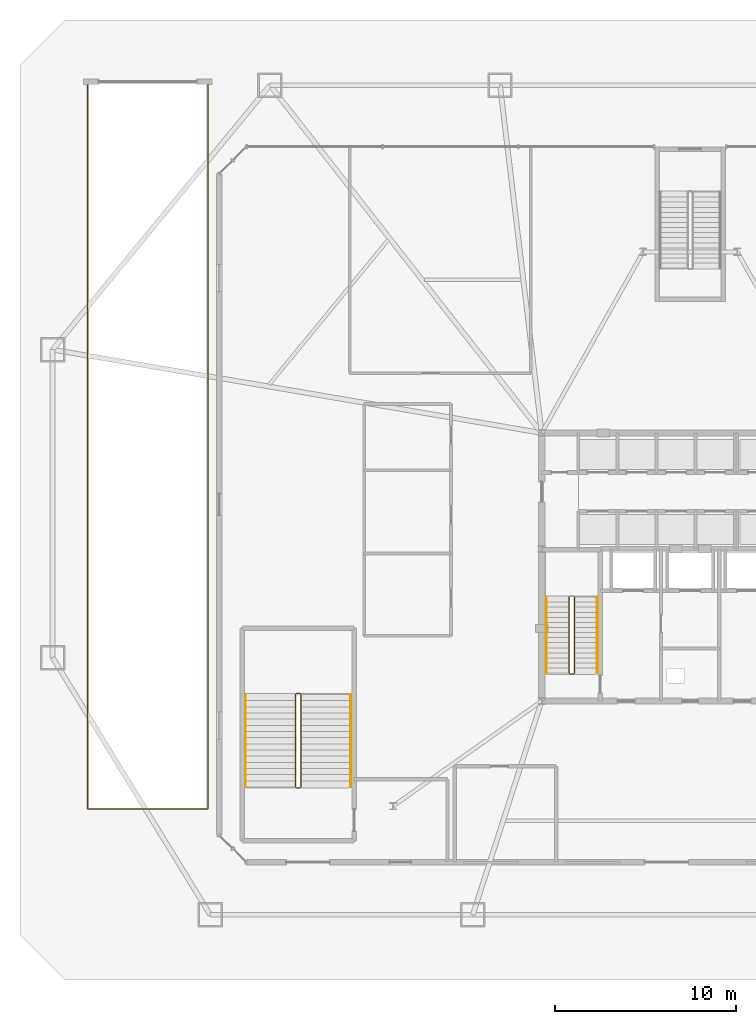
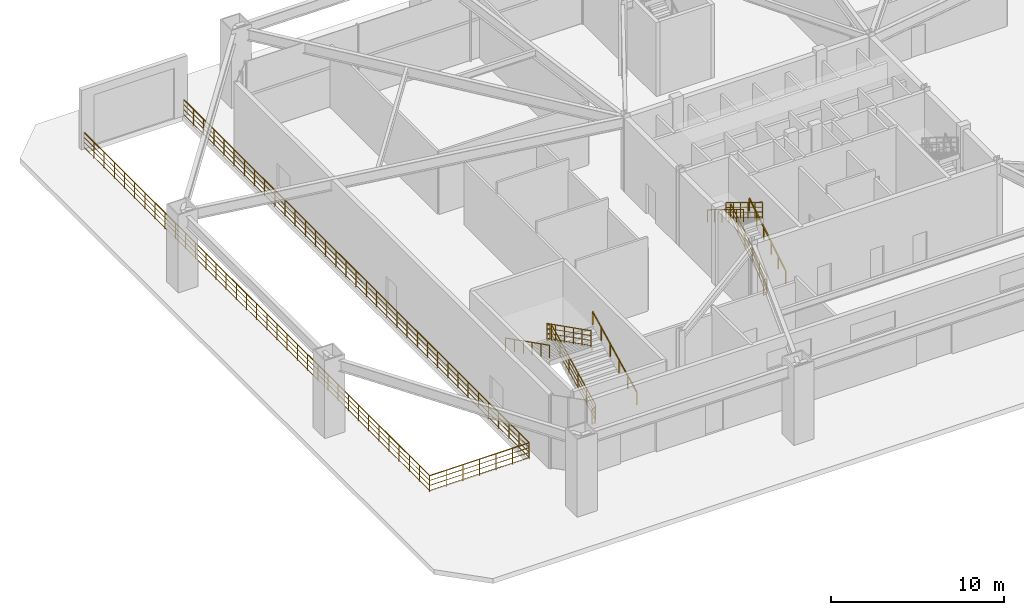
# One storey, part 18 of 20: 14 railings.
"""IFC4 building model written with IfcOpenShell, lengths in metres."""

from ifc_helpers import new_model, si_unit, direction, frame, origin, origin_2d, place, context, subcontext, project, spatial, rectangle, extrude, material, type_object, element, save


model = new_model("IFC4")

# Units and contexts
model_context = context("Model", 3, precision=1e-05, world=origin(), true_north=direction((0.0, 1.0)))
body_context = subcontext(model_context, "Body", "Model", "MODEL_VIEW")
ifc_project = project(units=[si_unit("LENGTHUNIT", "METRE"), si_unit("AREAUNIT", "SQUARE_METRE"), si_unit("VOLUMEUNIT", "CUBIC_METRE"), si_unit("PLANEANGLEUNIT", "RADIAN"), si_unit("MASSUNIT", "GRAM", prefix="KILO")], contexts=[model_context])

# Site, building, storey
site_placement = place(None, origin())
site = spatial("IfcSite", under=ifc_project, at=site_placement, CompositionType="ELEMENT")
building_placement = place(site_placement, origin())
building = spatial("IfcBuilding", under=site, at=building_placement, Name="Varakhsha Concourse Tower", CompositionType="ELEMENT")
storey_placement = place(building_placement, origin())
storey = spatial("IfcBuildingStorey", under=building, at=storey_placement, Name="L01", CompositionType="ELEMENT", Elevation=0.0)

# Railings
ifc_material = material(Name="Brushed Austenitic Stainless Steel AISI 316", Category="steel")
railing_type_1 = type_object("IfcRailingType", Name="RL-INT-GUARD-1120", PredefinedType="GUARDRAIL", material=ifc_material)
railing_1_placement = place(storey_placement, frame((6.719970703125, 10.449951171875, 0.0)))
element("IfcRailing", 1, at=railing_1_placement, inside=storey, type_object=railing_type_1, Name="L01 Vehicle Ramp Trench Guard W", PredefinedType="GUARDRAIL", context=body_context, shape_type="SweptSolid", body=[
    extrude(rectangle(XDim=0.048095703125, YDim=0.048095703125, at=origin_2d()), frame((0.0, 0.0, 1.1259765625), z_axis=(0.0, 1.0, 0.0), x_axis=(-1.0, 0.0, 0.0)), (0.0, 0.0, 1.0), 40.10009765625),
    extrude(rectangle(XDim=0.028076171875, YDim=0.028076171875, at=origin_2d()), frame((0.0, 0.0, 0.080078125), z_axis=(0.0, 1.0, 0.0), x_axis=(-1.0, 0.0, 0.0)), (0.0, 0.0, 1.0), 40.10009765625),
    extrude(rectangle(XDim=0.028076171875, YDim=0.028076171875, at=origin_2d()), frame((0.0, 0.0, 0.43701171875), z_axis=(0.0, 1.0, 0.0), x_axis=(-1.0, 0.0, 0.0)), (0.0, 0.0, 1.0), 40.10009765625),
    extrude(rectangle(XDim=0.028076171875, YDim=0.028076171875, at=origin_2d()), frame((0.0, 0.0, 0.781982421875), z_axis=(0.0, 1.0, 0.0), x_axis=(-1.0, 0.0, 0.0)), (0.0, 0.0, 1.0), 40.10009765625),
    extrude(rectangle(XDim=0.0419921875, YDim=0.0419921875, at=origin_2d()), origin(), (0.0, 0.0, 1.0), 1.101806640625),
    extrude(rectangle(XDim=0.0419921875, YDim=0.0419921875, at=origin_2d()), frame((0.0, 1.179443359375, 0.0)), (0.0, 0.0, 1.0), 1.101806640625),
    extrude(rectangle(XDim=0.0419921875, YDim=0.0419921875, at=origin_2d()), frame((0.0, 2.35888671875, 0.0)), (0.0, 0.0, 1.0), 1.101806640625),
    extrude(rectangle(XDim=0.0419921875, YDim=0.0419921875, at=origin_2d()), frame((0.0, 3.538330078125, 0.0)), (0.0, 0.0, 1.0), 1.101806640625),
    extrude(rectangle(XDim=0.0419921875, YDim=0.0419921875, at=origin_2d()), frame((0.0, 4.7177734375, 0.0)), (0.0, 0.0, 1.0), 1.101806640625),
    extrude(rectangle(XDim=0.0419921875, YDim=0.0419921875, at=origin_2d()), frame((0.0, 5.89697265625, 0.0)), (0.0, 0.0, 1.0), 1.101806640625),
    extrude(rectangle(XDim=0.0419921875, YDim=0.0419921875, at=origin_2d()), frame((0.0, 7.076416015625, 0.0)), (0.0, 0.0, 1.0), 1.101806640625),
    extrude(rectangle(XDim=0.0419921875, YDim=0.0419921875, at=origin_2d()), frame((0.0, 8.255859375, 0.0)), (0.0, 0.0, 1.0), 1.101806640625),
    extrude(rectangle(XDim=0.0419921875, YDim=0.0419921875, at=origin_2d()), frame((0.0, 9.435302734375, 0.0)), (0.0, 0.0, 1.0), 1.101806640625),
    extrude(rectangle(XDim=0.0419921875, YDim=0.0419921875, at=origin_2d()), frame((0.0, 10.61474609375, 0.0)), (0.0, 0.0, 1.0), 1.101806640625),
    extrude(rectangle(XDim=0.0419921875, YDim=0.0419921875, at=origin_2d()), frame((0.0, 11.794189453125, 0.0)), (0.0, 0.0, 1.0), 1.101806640625),
    extrude(rectangle(XDim=0.0419921875, YDim=0.0419921875, at=origin_2d()), frame((0.0, 12.9736328125, 0.0)), (0.0, 0.0, 1.0), 1.101806640625),
    extrude(rectangle(XDim=0.0419921875, YDim=0.0419921875, at=origin_2d()), frame((0.0, 14.153076171875, 0.0)), (0.0, 0.0, 1.0), 1.101806640625),
    extrude(rectangle(XDim=0.0419921875, YDim=0.0419921875, at=origin_2d()), frame((0.0, 15.332275390625, 0.0)), (0.0, 0.0, 1.0), 1.101806640625),
    extrude(rectangle(XDim=0.0419921875, YDim=0.0419921875, at=origin_2d()), frame((0.0, 16.51171875, 0.0)), (0.0, 0.0, 1.0), 1.101806640625),
    extrude(rectangle(XDim=0.0419921875, YDim=0.0419921875, at=origin_2d()), frame((0.0, 17.691162109375, 0.0)), (0.0, 0.0, 1.0), 1.101806640625),
    extrude(rectangle(XDim=0.0419921875, YDim=0.0419921875, at=origin_2d()), frame((0.0, 18.87060546875, 0.0)), (0.0, 0.0, 1.0), 1.101806640625),
    extrude(rectangle(XDim=0.0419921875, YDim=0.0419921875, at=origin_2d()), frame((0.0, 20.050048828125, 0.0)), (0.0, 0.0, 1.0), 1.101806640625),
    extrude(rectangle(XDim=0.0419921875, YDim=0.0419921875, at=origin_2d()), frame((0.0, 21.2294921875, 0.0)), (0.0, 0.0, 1.0), 1.101806640625),
    extrude(rectangle(XDim=0.0419921875, YDim=0.0419921875, at=origin_2d()), frame((0.0, 22.408935546875, 0.0)), (0.0, 0.0, 1.0), 1.101806640625),
    extrude(rectangle(XDim=0.0419921875, YDim=0.0419921875, at=origin_2d()), frame((0.0, 23.58837890625, 0.0)), (0.0, 0.0, 1.0), 1.101806640625),
    extrude(rectangle(XDim=0.0419921875, YDim=0.0419921875, at=origin_2d()), frame((0.0, 24.767822265625, 0.0)), (0.0, 0.0, 1.0), 1.101806640625),
    extrude(rectangle(XDim=0.0419921875, YDim=0.0419921875, at=origin_2d()), frame((0.0, 25.947021484375, 0.0)), (0.0, 0.0, 1.0), 1.101806640625),
    extrude(rectangle(XDim=0.0419921875, YDim=0.0419921875, at=origin_2d()), frame((0.0, 27.12646484375, 0.0)), (0.0, 0.0, 1.0), 1.101806640625),
    extrude(rectangle(XDim=0.0419921875, YDim=0.0419921875, at=origin_2d()), frame((0.0, 28.305908203125, 0.0)), (0.0, 0.0, 1.0), 1.101806640625),
    extrude(rectangle(XDim=0.0419921875, YDim=0.0419921875, at=origin_2d()), frame((0.0, 29.4853515625, 0.0)), (0.0, 0.0, 1.0), 1.101806640625),
    extrude(rectangle(XDim=0.0419921875, YDim=0.0419921875, at=origin_2d()), frame((0.0, 30.664794921875, 0.0)), (0.0, 0.0, 1.0), 1.101806640625),
    extrude(rectangle(XDim=0.0419921875, YDim=0.0419921875, at=origin_2d()), frame((0.0, 31.84423828125, 0.0)), (0.0, 0.0, 1.0), 1.101806640625),
    extrude(rectangle(XDim=0.0419921875, YDim=0.0419921875, at=origin_2d()), frame((0.0, 33.023681640625, 0.0)), (0.0, 0.0, 1.0), 1.101806640625),
    extrude(rectangle(XDim=0.0419921875, YDim=0.0419921875, at=origin_2d()), frame((0.0, 34.203125, 0.0)), (0.0, 0.0, 1.0), 1.101806640625),
    extrude(rectangle(XDim=0.0419921875, YDim=0.0419921875, at=origin_2d()), frame((0.0, 35.38232421875, 0.0)), (0.0, 0.0, 1.0), 1.101806640625),
    extrude(rectangle(XDim=0.0419921875, YDim=0.0419921875, at=origin_2d()), frame((0.0, 36.561767578125, 0.0)), (0.0, 0.0, 1.0), 1.101806640625),
    extrude(rectangle(XDim=0.0419921875, YDim=0.0419921875, at=origin_2d()), frame((0.0, 37.7412109375, 0.0)), (0.0, 0.0, 1.0), 1.101806640625),
    extrude(rectangle(XDim=0.0419921875, YDim=0.0419921875, at=origin_2d()), frame((0.0, 38.920654296875, 0.0)), (0.0, 0.0, 1.0), 1.101806640625),
    extrude(rectangle(XDim=0.0419921875, YDim=0.0419921875, at=origin_2d()), frame((0.0, 40.10009765625, 0.0)), (0.0, 0.0, 1.0), 1.101806640625),
])
railing_2_placement = place(storey_placement, frame((13.3798828125, 10.449951171875, 0.0)))
element("IfcRailing", 2, at=railing_2_placement, inside=storey, type_object=railing_type_1, Name="L01 Vehicle Ramp Trench Guard E", PredefinedType="GUARDRAIL", context=body_context, shape_type="SweptSolid", body=[
    extrude(rectangle(XDim=0.048095703125, YDim=0.048095703125, at=origin_2d()), frame((0.0, 0.0, 1.1259765625), z_axis=(0.0, 1.0, 0.0), x_axis=(-1.0, 0.0, 0.0)), (0.0, 0.0, 1.0), 40.10009765625),
    extrude(rectangle(XDim=0.028076171875, YDim=0.028076171875, at=origin_2d()), frame((0.0, 0.0, 0.080078125), z_axis=(0.0, 1.0, 0.0), x_axis=(-1.0, 0.0, 0.0)), (0.0, 0.0, 1.0), 40.10009765625),
    extrude(rectangle(XDim=0.028076171875, YDim=0.028076171875, at=origin_2d()), frame((0.0, 0.0, 0.43701171875), z_axis=(0.0, 1.0, 0.0), x_axis=(-1.0, 0.0, 0.0)), (0.0, 0.0, 1.0), 40.10009765625),
    extrude(rectangle(XDim=0.028076171875, YDim=0.028076171875, at=origin_2d()), frame((0.0, 0.0, 0.781982421875), z_axis=(0.0, 1.0, 0.0), x_axis=(-1.0, 0.0, 0.0)), (0.0, 0.0, 1.0), 40.10009765625),
    extrude(rectangle(XDim=0.0419921875, YDim=0.0419921875, at=origin_2d()), origin(), (0.0, 0.0, 1.0), 1.101806640625),
    extrude(rectangle(XDim=0.0419921875, YDim=0.0419921875, at=origin_2d()), frame((0.0, 1.179443359375, 0.0)), (0.0, 0.0, 1.0), 1.101806640625),
    extrude(rectangle(XDim=0.0419921875, YDim=0.0419921875, at=origin_2d()), frame((0.0, 2.35888671875, 0.0)), (0.0, 0.0, 1.0), 1.101806640625),
    extrude(rectangle(XDim=0.0419921875, YDim=0.0419921875, at=origin_2d()), frame((0.0, 3.538330078125, 0.0)), (0.0, 0.0, 1.0), 1.101806640625),
    extrude(rectangle(XDim=0.0419921875, YDim=0.0419921875, at=origin_2d()), frame((0.0, 4.7177734375, 0.0)), (0.0, 0.0, 1.0), 1.101806640625),
    extrude(rectangle(XDim=0.0419921875, YDim=0.0419921875, at=origin_2d()), frame((0.0, 5.89697265625, 0.0)), (0.0, 0.0, 1.0), 1.101806640625),
    extrude(rectangle(XDim=0.0419921875, YDim=0.0419921875, at=origin_2d()), frame((0.0, 7.076416015625, 0.0)), (0.0, 0.0, 1.0), 1.101806640625),
    extrude(rectangle(XDim=0.0419921875, YDim=0.0419921875, at=origin_2d()), frame((0.0, 8.255859375, 0.0)), (0.0, 0.0, 1.0), 1.101806640625),
    extrude(rectangle(XDim=0.0419921875, YDim=0.0419921875, at=origin_2d()), frame((0.0, 9.435302734375, 0.0)), (0.0, 0.0, 1.0), 1.101806640625),
    extrude(rectangle(XDim=0.0419921875, YDim=0.0419921875, at=origin_2d()), frame((0.0, 10.61474609375, 0.0)), (0.0, 0.0, 1.0), 1.101806640625),
    extrude(rectangle(XDim=0.0419921875, YDim=0.0419921875, at=origin_2d()), frame((0.0, 11.794189453125, 0.0)), (0.0, 0.0, 1.0), 1.101806640625),
    extrude(rectangle(XDim=0.0419921875, YDim=0.0419921875, at=origin_2d()), frame((0.0, 12.9736328125, 0.0)), (0.0, 0.0, 1.0), 1.101806640625),
    extrude(rectangle(XDim=0.0419921875, YDim=0.0419921875, at=origin_2d()), frame((0.0, 14.153076171875, 0.0)), (0.0, 0.0, 1.0), 1.101806640625),
    extrude(rectangle(XDim=0.0419921875, YDim=0.0419921875, at=origin_2d()), frame((0.0, 15.332275390625, 0.0)), (0.0, 0.0, 1.0), 1.101806640625),
    extrude(rectangle(XDim=0.0419921875, YDim=0.0419921875, at=origin_2d()), frame((0.0, 16.51171875, 0.0)), (0.0, 0.0, 1.0), 1.101806640625),
    extrude(rectangle(XDim=0.0419921875, YDim=0.0419921875, at=origin_2d()), frame((0.0, 17.691162109375, 0.0)), (0.0, 0.0, 1.0), 1.101806640625),
    extrude(rectangle(XDim=0.0419921875, YDim=0.0419921875, at=origin_2d()), frame((0.0, 18.87060546875, 0.0)), (0.0, 0.0, 1.0), 1.101806640625),
    extrude(rectangle(XDim=0.0419921875, YDim=0.0419921875, at=origin_2d()), frame((0.0, 20.050048828125, 0.0)), (0.0, 0.0, 1.0), 1.101806640625),
    extrude(rectangle(XDim=0.0419921875, YDim=0.0419921875, at=origin_2d()), frame((0.0, 21.2294921875, 0.0)), (0.0, 0.0, 1.0), 1.101806640625),
    extrude(rectangle(XDim=0.0419921875, YDim=0.0419921875, at=origin_2d()), frame((0.0, 22.408935546875, 0.0)), (0.0, 0.0, 1.0), 1.101806640625),
    extrude(rectangle(XDim=0.0419921875, YDim=0.0419921875, at=origin_2d()), frame((0.0, 23.58837890625, 0.0)), (0.0, 0.0, 1.0), 1.101806640625),
    extrude(rectangle(XDim=0.0419921875, YDim=0.0419921875, at=origin_2d()), frame((0.0, 24.767822265625, 0.0)), (0.0, 0.0, 1.0), 1.101806640625),
    extrude(rectangle(XDim=0.0419921875, YDim=0.0419921875, at=origin_2d()), frame((0.0, 25.947021484375, 0.0)), (0.0, 0.0, 1.0), 1.101806640625),
    extrude(rectangle(XDim=0.0419921875, YDim=0.0419921875, at=origin_2d()), frame((0.0, 27.12646484375, 0.0)), (0.0, 0.0, 1.0), 1.101806640625),
    extrude(rectangle(XDim=0.0419921875, YDim=0.0419921875, at=origin_2d()), frame((0.0, 28.305908203125, 0.0)), (0.0, 0.0, 1.0), 1.101806640625),
    extrude(rectangle(XDim=0.0419921875, YDim=0.0419921875, at=origin_2d()), frame((0.0, 29.4853515625, 0.0)), (0.0, 0.0, 1.0), 1.101806640625),
    extrude(rectangle(XDim=0.0419921875, YDim=0.0419921875, at=origin_2d()), frame((0.0, 30.664794921875, 0.0)), (0.0, 0.0, 1.0), 1.101806640625),
    extrude(rectangle(XDim=0.0419921875, YDim=0.0419921875, at=origin_2d()), frame((0.0, 31.84423828125, 0.0)), (0.0, 0.0, 1.0), 1.101806640625),
    extrude(rectangle(XDim=0.0419921875, YDim=0.0419921875, at=origin_2d()), frame((0.0, 33.023681640625, 0.0)), (0.0, 0.0, 1.0), 1.101806640625),
    extrude(rectangle(XDim=0.0419921875, YDim=0.0419921875, at=origin_2d()), frame((0.0, 34.203125, 0.0)), (0.0, 0.0, 1.0), 1.101806640625),
    extrude(rectangle(XDim=0.0419921875, YDim=0.0419921875, at=origin_2d()), frame((0.0, 35.38232421875, 0.0)), (0.0, 0.0, 1.0), 1.101806640625),
    extrude(rectangle(XDim=0.0419921875, YDim=0.0419921875, at=origin_2d()), frame((0.0, 36.561767578125, 0.0)), (0.0, 0.0, 1.0), 1.101806640625),
    extrude(rectangle(XDim=0.0419921875, YDim=0.0419921875, at=origin_2d()), frame((0.0, 37.7412109375, 0.0)), (0.0, 0.0, 1.0), 1.101806640625),
    extrude(rectangle(XDim=0.0419921875, YDim=0.0419921875, at=origin_2d()), frame((0.0, 38.920654296875, 0.0)), (0.0, 0.0, 1.0), 1.101806640625),
    extrude(rectangle(XDim=0.0419921875, YDim=0.0419921875, at=origin_2d()), frame((0.0, 40.10009765625, 0.0)), (0.0, 0.0, 1.0), 1.101806640625),
])
railing_3_placement = place(storey_placement, frame((6.719970703125, 10.449951171875, 0.0)))
element("IfcRailing", 3, at=railing_3_placement, inside=storey, type_object=railing_type_1, Name="L01 Vehicle Ramp Trench Guard S", PredefinedType="GUARDRAIL", context=body_context, shape_type="SweptSolid", body=[
    extrude(rectangle(XDim=0.048095703125, YDim=0.048095703125, at=origin_2d()), frame((0.0, 0.0, 1.1259765625), z_axis=(1.0, 0.0, 0.0), x_axis=(0.0, 1.0, 0.0)), (0.0, 0.0, 1.0), 6.659912109375),
    extrude(rectangle(XDim=0.028076171875, YDim=0.028076171875, at=origin_2d()), frame((0.0, 0.0, 0.080078125), z_axis=(1.0, 0.0, 0.0), x_axis=(0.0, 1.0, 0.0)), (0.0, 0.0, 1.0), 6.659912109375),
    extrude(rectangle(XDim=0.028076171875, YDim=0.028076171875, at=origin_2d()), frame((0.0, 0.0, 0.43701171875), z_axis=(1.0, 0.0, 0.0), x_axis=(0.0, 1.0, 0.0)), (0.0, 0.0, 1.0), 6.659912109375),
    extrude(rectangle(XDim=0.028076171875, YDim=0.028076171875, at=origin_2d()), frame((0.0, 0.0, 0.781982421875), z_axis=(1.0, 0.0, 0.0), x_axis=(0.0, 1.0, 0.0)), (0.0, 0.0, 1.0), 6.659912109375),
    extrude(rectangle(XDim=0.0419921875, YDim=0.0419921875, at=origin_2d()), origin(), (0.0, 0.0, 1.0), 1.101806640625),
    extrude(rectangle(XDim=0.0419921875, YDim=0.0419921875, at=origin_2d()), frame((1.10986328125, 0.0, 0.0)), (0.0, 0.0, 1.0), 1.101806640625),
    extrude(rectangle(XDim=0.0419921875, YDim=0.0419921875, at=origin_2d()), frame((2.219970703125, 0.0, 0.0)), (0.0, 0.0, 1.0), 1.101806640625),
    extrude(rectangle(XDim=0.0419921875, YDim=0.0419921875, at=origin_2d()), frame((3.330078125, 0.0, 0.0)), (0.0, 0.0, 1.0), 1.101806640625),
    extrude(rectangle(XDim=0.0419921875, YDim=0.0419921875, at=origin_2d()), frame((4.43994140625, 0.0, 0.0)), (0.0, 0.0, 1.0), 1.101806640625),
    extrude(rectangle(XDim=0.0419921875, YDim=0.0419921875, at=origin_2d()), frame((5.5498046875, 0.0, 0.0)), (0.0, 0.0, 1.0), 1.101806640625),
    extrude(rectangle(XDim=0.0419921875, YDim=0.0419921875, at=origin_2d()), frame((6.659912109375, 0.0, 0.0)), (0.0, 0.0, 1.0), 1.101806640625),
])
railing_type_2 = type_object("IfcRailingType", Name="RL-STAIR-GUARD-1100", PredefinedType="GUARDRAIL", material=ifc_material)
railing_4_placement = place(storey_placement, frame((33.610107421875, 17.93994140625, 0.171875)))
element("IfcRailing", 4, at=railing_4_placement, inside=storey, type_object=railing_type_2, Name="L01 ST1 stair guard 1", PredefinedType="GUARDRAIL", context=body_context, shape_type="SweptSolid", body=[
    extrude(rectangle(XDim=0.048095703125, YDim=0.048095703125, at=origin_2d()), frame((0.0, 0.0, 1.1259765625), z_axis=(0.0, 0.852242915053, 0.523146264196), x_axis=(-1.0, 0.0, 0.0)), (0.0, 0.0, 1.0), 4.92822265625),
    extrude(rectangle(XDim=0.028076171875, YDim=0.028076171875, at=origin_2d()), frame((0.0, 0.0, 0.080078125), z_axis=(0.0, 0.852242915053, 0.523146264196), x_axis=(-1.0, 0.0, 0.0)), (0.0, 0.0, 1.0), 4.92822265625),
    extrude(rectangle(XDim=0.028076171875, YDim=0.028076171875, at=origin_2d()), frame((0.0, 0.0, 0.43701171875), z_axis=(0.0, 0.852242915053, 0.523146264196), x_axis=(-1.0, 0.0, 0.0)), (0.0, 0.0, 1.0), 4.92822265625),
    extrude(rectangle(XDim=0.028076171875, YDim=0.028076171875, at=origin_2d()), frame((0.0, 0.0, 0.781982421875), z_axis=(0.0, 0.852242915053, 0.523146264196), x_axis=(-1.0, 0.0, 0.0)), (0.0, 0.0, 1.0), 4.92822265625),
    extrude(rectangle(XDim=0.0419921875, YDim=0.0419921875, at=origin_2d()), origin(), (0.0, 0.0, 1.0), 1.101806640625),
    extrude(rectangle(XDim=0.0419921875, YDim=0.0419921875, at=origin_2d()), frame((0.0, 0.840087890625, 0.515625)), (0.0, 0.0, 1.0), 1.101806640625),
    extrude(rectangle(XDim=0.0419921875, YDim=0.0419921875, at=origin_2d()), frame((0.0, 1.679931640625, 1.03125)), (0.0, 0.0, 1.0), 1.101806640625),
    extrude(rectangle(XDim=0.0419921875, YDim=0.0419921875, at=origin_2d()), frame((0.0, 2.52001953125, 1.546875)), (0.0, 0.0, 1.0), 1.101806640625),
    extrude(rectangle(XDim=0.0419921875, YDim=0.0419921875, at=origin_2d()), frame((0.0, 3.35986328125, 2.0625)), (0.0, 0.0, 1.0), 1.101806640625),
    extrude(rectangle(XDim=0.0419921875, YDim=0.0419921875, at=origin_2d()), frame((0.0, 4.199951171875, 2.578125)), (0.0, 0.0, 1.0), 1.101806640625),
])
railing_5_placement = place(storey_placement, frame((33.31005859375, 22.139892578125, 2.921875)))
element("IfcRailing", 5, at=railing_5_placement, inside=storey, type_object=railing_type_2, Name="L01 ST1 stair guard 3", PredefinedType="GUARDRAIL", context=body_context, shape_type="SweptSolid", body=[
    extrude(rectangle(XDim=0.048095703125, YDim=0.048095703125, at=origin_2d()), frame((0.0, 0.0, 1.1259765625), z_axis=(0.0, -0.852242915053, 0.523146264196), x_axis=(1.0, 0.0, 0.0)), (0.0, 0.0, 1.0), 4.92822265625),
    extrude(rectangle(XDim=0.028076171875, YDim=0.028076171875, at=origin_2d()), frame((0.0, 0.0, 0.080078125), z_axis=(0.0, -0.852242915053, 0.523146264196), x_axis=(1.0, 0.0, 0.0)), (0.0, 0.0, 1.0), 4.92822265625),
    extrude(rectangle(XDim=0.028076171875, YDim=0.028076171875, at=origin_2d()), frame((0.0, 0.0, 0.43701171875), z_axis=(0.0, -0.852242915053, 0.523146264196), x_axis=(1.0, 0.0, 0.0)), (0.0, 0.0, 1.0), 4.92822265625),
    extrude(rectangle(XDim=0.028076171875, YDim=0.028076171875, at=origin_2d()), frame((0.0, 0.0, 0.781982421875), z_axis=(0.0, -0.852242915053, 0.523146264196), x_axis=(1.0, 0.0, 0.0)), (0.0, 0.0, 1.0), 4.92822265625),
    extrude(rectangle(XDim=0.0419921875, YDim=0.0419921875, at=origin_2d()), origin(), (0.0, 0.0, 1.0), 1.101806640625),
    extrude(rectangle(XDim=0.0419921875, YDim=0.0419921875, at=origin_2d()), frame((0.0, -0.840087890625, 0.515625)), (0.0, 0.0, 1.0), 1.101806640625),
    extrude(rectangle(XDim=0.0419921875, YDim=0.0419921875, at=origin_2d()), frame((0.0, -1.679931640625, 1.03125)), (0.0, 0.0, 1.0), 1.101806640625),
    extrude(rectangle(XDim=0.0419921875, YDim=0.0419921875, at=origin_2d()), frame((0.0, -2.52001953125, 1.546875)), (0.0, 0.0, 1.0), 1.101806640625),
    extrude(rectangle(XDim=0.0419921875, YDim=0.0419921875, at=origin_2d()), frame((0.0, -3.35986328125, 2.0625)), (0.0, 0.0, 1.0), 1.101806640625),
    extrude(rectangle(XDim=0.0419921875, YDim=0.0419921875, at=origin_2d()), frame((0.0, -4.199951171875, 2.578125)), (0.0, 0.0, 1.0), 1.101806640625),
])
railing_6_placement = place(storey_placement, frame((33.56005859375, 17.889892578125, 0.0)))
element("IfcRailing", 6, at=railing_6_placement, inside=storey, type_object=railing_type_2, Name="L01 ST1 stair guard 4", PredefinedType="GUARDRAIL", context=body_context, shape_type="SweptSolid", body=[
    extrude(rectangle(XDim=0.048095703125, YDim=0.048095703125, at=origin_2d()), frame((0.0, 0.0, 1.1259765625), z_axis=(-1.0, 0.0, 0.0), x_axis=(0.0, -1.0, 0.0)), (0.0, 0.0, 1.0), 0.199951171875),
    extrude(rectangle(XDim=0.028076171875, YDim=0.028076171875, at=origin_2d()), frame((0.0, 0.0, 0.080078125), z_axis=(-1.0, 0.0, 0.0), x_axis=(0.0, -1.0, 0.0)), (0.0, 0.0, 1.0), 0.199951171875),
    extrude(rectangle(XDim=0.028076171875, YDim=0.028076171875, at=origin_2d()), frame((0.0, 0.0, 0.43701171875), z_axis=(-1.0, 0.0, 0.0), x_axis=(0.0, -1.0, 0.0)), (0.0, 0.0, 1.0), 0.199951171875),
    extrude(rectangle(XDim=0.028076171875, YDim=0.028076171875, at=origin_2d()), frame((0.0, 0.0, 0.781982421875), z_axis=(-1.0, 0.0, 0.0), x_axis=(0.0, -1.0, 0.0)), (0.0, 0.0, 1.0), 0.199951171875),
    extrude(rectangle(XDim=0.0419921875, YDim=0.0419921875, at=origin_2d()), origin(), (0.0, 0.0, 1.0), 1.101806640625),
    extrude(rectangle(XDim=0.0419921875, YDim=0.0419921875, at=origin_2d()), frame((-0.199951171875, 0.0, 0.0)), (0.0, 0.0, 1.0), 1.101806640625),
])
railing_7_placement = place(storey_placement, frame((18.510009765625, 11.659912109375, 0.171875)))
element("IfcRailing", 7, at=railing_7_placement, inside=storey, type_object=railing_type_2, Name="L01 ST3 stair guard 1", PredefinedType="GUARDRAIL", context=body_context, shape_type="SweptSolid", body=[
    extrude(rectangle(XDim=0.048095703125, YDim=0.048095703125, at=origin_2d()), frame((0.0, 0.0, 1.1259765625), z_axis=(0.0, 0.892453363607, 0.451139661067), x_axis=(-1.0, 0.0, 0.0)), (0.0, 0.0, 1.0), 5.714599609375),
    extrude(rectangle(XDim=0.028076171875, YDim=0.028076171875, at=origin_2d()), frame((0.0, 0.0, 0.080078125), z_axis=(0.0, 0.892453363607, 0.451139661067), x_axis=(-1.0, 0.0, 0.0)), (0.0, 0.0, 1.0), 5.714599609375),
    extrude(rectangle(XDim=0.028076171875, YDim=0.028076171875, at=origin_2d()), frame((0.0, 0.0, 0.43701171875), z_axis=(0.0, 0.892453363607, 0.451139661067), x_axis=(-1.0, 0.0, 0.0)), (0.0, 0.0, 1.0), 5.714599609375),
    extrude(rectangle(XDim=0.028076171875, YDim=0.028076171875, at=origin_2d()), frame((0.0, 0.0, 0.781982421875), z_axis=(0.0, 0.892453363607, 0.451139661067), x_axis=(-1.0, 0.0, 0.0)), (0.0, 0.0, 1.0), 5.714599609375),
    extrude(rectangle(XDim=0.0419921875, YDim=0.0419921875, at=origin_2d()), origin(), (0.0, 0.0, 1.0), 1.101806640625),
    extrude(rectangle(XDim=0.0419921875, YDim=0.0419921875, at=origin_2d()), frame((0.0, 1.02001953125, 0.515625)), (0.0, 0.0, 1.0), 1.101806640625),
    extrude(rectangle(XDim=0.0419921875, YDim=0.0419921875, at=origin_2d()), frame((0.0, 2.0400390625, 1.03125)), (0.0, 0.0, 1.0), 1.101806640625),
    extrude(rectangle(XDim=0.0419921875, YDim=0.0419921875, at=origin_2d()), frame((0.0, 3.06005859375, 1.546875)), (0.0, 0.0, 1.0), 1.101806640625),
    extrude(rectangle(XDim=0.0419921875, YDim=0.0419921875, at=origin_2d()), frame((0.0, 4.080078125, 2.0625)), (0.0, 0.0, 1.0), 1.101806640625),
    extrude(rectangle(XDim=0.0419921875, YDim=0.0419921875, at=origin_2d()), frame((0.0, 5.10009765625, 2.578125)), (0.0, 0.0, 1.0), 1.101806640625),
])
railing_8_placement = place(storey_placement, frame((18.4599609375, 16.81005859375, 2.75)))
element("IfcRailing", 8, at=railing_8_placement, inside=storey, type_object=railing_type_2, Name="L01 ST3 stair guard 2", PredefinedType="GUARDRAIL", context=body_context, shape_type="SweptSolid", body=[
    extrude(rectangle(XDim=0.048095703125, YDim=0.048095703125, at=origin_2d()), frame((0.0, 0.0, 1.1259765625), z_axis=(-1.0, 0.0, 0.0), x_axis=(0.0, -1.0, 0.0)), (0.0, 0.0, 1.0), 0.199951171875),
    extrude(rectangle(XDim=0.028076171875, YDim=0.028076171875, at=origin_2d()), frame((0.0, 0.0, 0.080078125), z_axis=(-1.0, 0.0, 0.0), x_axis=(0.0, -1.0, 0.0)), (0.0, 0.0, 1.0), 0.199951171875),
    extrude(rectangle(XDim=0.028076171875, YDim=0.028076171875, at=origin_2d()), frame((0.0, 0.0, 0.43701171875), z_axis=(-1.0, 0.0, 0.0), x_axis=(0.0, -1.0, 0.0)), (0.0, 0.0, 1.0), 0.199951171875),
    extrude(rectangle(XDim=0.028076171875, YDim=0.028076171875, at=origin_2d()), frame((0.0, 0.0, 0.781982421875), z_axis=(-1.0, 0.0, 0.0), x_axis=(0.0, -1.0, 0.0)), (0.0, 0.0, 1.0), 0.199951171875),
    extrude(rectangle(XDim=0.0419921875, YDim=0.0419921875, at=origin_2d()), origin(), (0.0, 0.0, 1.0), 1.101806640625),
    extrude(rectangle(XDim=0.0419921875, YDim=0.0419921875, at=origin_2d()), frame((-0.199951171875, 0.0, 0.0)), (0.0, 0.0, 1.0), 1.101806640625),
])
railing_9_placement = place(storey_placement, frame((18.2099609375, 16.760009765625, 2.921875)))
element("IfcRailing", 9, at=railing_9_placement, inside=storey, type_object=railing_type_2, Name="L01 ST3 stair guard 3", PredefinedType="GUARDRAIL", context=body_context, shape_type="SweptSolid", body=[
    extrude(rectangle(XDim=0.048095703125, YDim=0.048095703125, at=origin_2d()), frame((0.0, 0.0, 1.1259765625), z_axis=(0.0, -0.892453363607, 0.451139661067), x_axis=(1.0, 0.0, 0.0)), (0.0, 0.0, 1.0), 5.714599609375),
    extrude(rectangle(XDim=0.028076171875, YDim=0.028076171875, at=origin_2d()), frame((0.0, 0.0, 0.080078125), z_axis=(0.0, -0.892453363607, 0.451139661067), x_axis=(1.0, 0.0, 0.0)), (0.0, 0.0, 1.0), 5.714599609375),
    extrude(rectangle(XDim=0.028076171875, YDim=0.028076171875, at=origin_2d()), frame((0.0, 0.0, 0.43701171875), z_axis=(0.0, -0.892453363607, 0.451139661067), x_axis=(1.0, 0.0, 0.0)), (0.0, 0.0, 1.0), 5.714599609375),
    extrude(rectangle(XDim=0.028076171875, YDim=0.028076171875, at=origin_2d()), frame((0.0, 0.0, 0.781982421875), z_axis=(0.0, -0.892453363607, 0.451139661067), x_axis=(1.0, 0.0, 0.0)), (0.0, 0.0, 1.0), 5.714599609375),
    extrude(rectangle(XDim=0.0419921875, YDim=0.0419921875, at=origin_2d()), origin(), (0.0, 0.0, 1.0), 1.101806640625),
    extrude(rectangle(XDim=0.0419921875, YDim=0.0419921875, at=origin_2d()), frame((0.0, -1.02001953125, 0.515625)), (0.0, 0.0, 1.0), 1.101806640625),
    extrude(rectangle(XDim=0.0419921875, YDim=0.0419921875, at=origin_2d()), frame((0.0, -2.0400390625, 1.03125)), (0.0, 0.0, 1.0), 1.101806640625),
    extrude(rectangle(XDim=0.0419921875, YDim=0.0419921875, at=origin_2d()), frame((0.0, -3.06005859375, 1.546875)), (0.0, 0.0, 1.0), 1.101806640625),
    extrude(rectangle(XDim=0.0419921875, YDim=0.0419921875, at=origin_2d()), frame((0.0, -4.080078125, 2.0625)), (0.0, 0.0, 1.0), 1.101806640625),
    extrude(rectangle(XDim=0.0419921875, YDim=0.0419921875, at=origin_2d()), frame((0.0, -5.10009765625, 2.578125)), (0.0, 0.0, 1.0), 1.101806640625),
])
railing_10_placement = place(storey_placement, frame((18.4599609375, 11.610107421875, 0.0)))
element("IfcRailing", 10, at=railing_10_placement, inside=storey, type_object=railing_type_2, Name="L01 ST3 stair guard 4", PredefinedType="GUARDRAIL", context=body_context, shape_type="SweptSolid", body=[
    extrude(rectangle(XDim=0.048095703125, YDim=0.048095703125, at=origin_2d()), frame((0.0, 0.0, 1.1259765625), z_axis=(-1.0, 0.0, 0.0), x_axis=(0.0, -1.0, 0.0)), (0.0, 0.0, 1.0), 0.199951171875),
    extrude(rectangle(XDim=0.028076171875, YDim=0.028076171875, at=origin_2d()), frame((0.0, 0.0, 0.080078125), z_axis=(-1.0, 0.0, 0.0), x_axis=(0.0, -1.0, 0.0)), (0.0, 0.0, 1.0), 0.199951171875),
    extrude(rectangle(XDim=0.028076171875, YDim=0.028076171875, at=origin_2d()), frame((0.0, 0.0, 0.43701171875), z_axis=(-1.0, 0.0, 0.0), x_axis=(0.0, -1.0, 0.0)), (0.0, 0.0, 1.0), 0.199951171875),
    extrude(rectangle(XDim=0.028076171875, YDim=0.028076171875, at=origin_2d()), frame((0.0, 0.0, 0.781982421875), z_axis=(-1.0, 0.0, 0.0), x_axis=(0.0, -1.0, 0.0)), (0.0, 0.0, 1.0), 0.199951171875),
    extrude(rectangle(XDim=0.0419921875, YDim=0.0419921875, at=origin_2d()), origin(), (0.0, 0.0, 1.0), 1.101806640625),
    extrude(rectangle(XDim=0.0419921875, YDim=0.0419921875, at=origin_2d()), frame((-0.199951171875, 0.0, 0.0)), (0.0, 0.0, 1.0), 1.101806640625),
])
railing_type_3 = type_object("IfcRailingType", Name="RL-STAIR-RAIL-915", PredefinedType="HANDRAIL", material=ifc_material)
railing_11_placement = place(storey_placement, frame((34.8701171875, 17.93994140625, 0.34375)))
element("IfcRailing", 11, at=railing_11_placement, inside=storey, type_object=railing_type_3, Name="L01 ST1 stair handrail 1", PredefinedType="HANDRAIL", context=body_context, shape_type="SweptSolid", body=[
    extrude(rectangle(XDim=0.048095703125, YDim=0.048095703125, at=origin_2d()), frame((0.0, 0.0, 0.89111328125), z_axis=(0.0, 0.852242915053, 0.523146264196), x_axis=(-1.0, 0.0, 0.0)), (0.0, 0.0, 1.0), 4.92822265625),
    extrude(rectangle(XDim=0.0419921875, YDim=0.0419921875, at=origin_2d()), origin(), (0.0, 0.0, 1.0), 0.866943359375),
    extrude(rectangle(XDim=0.0419921875, YDim=0.0419921875, at=origin_2d()), frame((0.0, 0.840087890625, 0.515625)), (0.0, 0.0, 1.0), 0.866943359375),
    extrude(rectangle(XDim=0.0419921875, YDim=0.0419921875, at=origin_2d()), frame((0.0, 1.679931640625, 1.03125)), (0.0, 0.0, 1.0), 0.866943359375),
    extrude(rectangle(XDim=0.0419921875, YDim=0.0419921875, at=origin_2d()), frame((0.0, 2.52001953125, 1.546875)), (0.0, 0.0, 1.0), 0.866943359375),
    extrude(rectangle(XDim=0.0419921875, YDim=0.0419921875, at=origin_2d()), frame((0.0, 3.35986328125, 2.0625)), (0.0, 0.0, 1.0), 0.866943359375),
    extrude(rectangle(XDim=0.0419921875, YDim=0.0419921875, at=origin_2d()), frame((0.0, 4.199951171875, 2.578125)), (0.0, 0.0, 1.0), 0.866943359375),
])
railing_12_placement = place(storey_placement, frame((32.050048828125, 22.139892578125, 3.09375)))
element("IfcRailing", 12, at=railing_12_placement, inside=storey, type_object=railing_type_3, Name="L01 ST1 stair handrail 2", PredefinedType="HANDRAIL", context=body_context, shape_type="SweptSolid", body=[
    extrude(rectangle(XDim=0.048095703125, YDim=0.048095703125, at=origin_2d()), frame((0.0, 0.0, 0.89111328125), z_axis=(0.0, -0.852242915053, 0.523146264196), x_axis=(1.0, 0.0, 0.0)), (0.0, 0.0, 1.0), 4.92822265625),
    extrude(rectangle(XDim=0.0419921875, YDim=0.0419921875, at=origin_2d()), origin(), (0.0, 0.0, 1.0), 0.866943359375),
    extrude(rectangle(XDim=0.0419921875, YDim=0.0419921875, at=origin_2d()), frame((0.0, -0.840087890625, 0.515625)), (0.0, 0.0, 1.0), 0.866943359375),
    extrude(rectangle(XDim=0.0419921875, YDim=0.0419921875, at=origin_2d()), frame((0.0, -1.679931640625, 1.03125)), (0.0, 0.0, 1.0), 0.866943359375),
    extrude(rectangle(XDim=0.0419921875, YDim=0.0419921875, at=origin_2d()), frame((0.0, -2.52001953125, 1.546875)), (0.0, 0.0, 1.0), 0.866943359375),
    extrude(rectangle(XDim=0.0419921875, YDim=0.0419921875, at=origin_2d()), frame((0.0, -3.35986328125, 2.0625)), (0.0, 0.0, 1.0), 0.866943359375),
    extrude(rectangle(XDim=0.0419921875, YDim=0.0419921875, at=origin_2d()), frame((0.0, -4.199951171875, 2.578125)), (0.0, 0.0, 1.0), 0.866943359375),
])
railing_13_placement = place(storey_placement, frame((21.27001953125, 11.659912109375, 0.34375)))
element("IfcRailing", 13, at=railing_13_placement, inside=storey, type_object=railing_type_3, Name="L01 ST3 stair handrail 1", PredefinedType="HANDRAIL", context=body_context, shape_type="SweptSolid", body=[
    extrude(rectangle(XDim=0.048095703125, YDim=0.048095703125, at=origin_2d()), frame((0.0, 0.0, 0.89111328125), z_axis=(0.0, 0.892453363607, 0.451139661067), x_axis=(-1.0, 0.0, 0.0)), (0.0, 0.0, 1.0), 5.714599609375),
    extrude(rectangle(XDim=0.0419921875, YDim=0.0419921875, at=origin_2d()), origin(), (0.0, 0.0, 1.0), 0.866943359375),
    extrude(rectangle(XDim=0.0419921875, YDim=0.0419921875, at=origin_2d()), frame((0.0, 1.02001953125, 0.515625)), (0.0, 0.0, 1.0), 0.866943359375),
    extrude(rectangle(XDim=0.0419921875, YDim=0.0419921875, at=origin_2d()), frame((0.0, 2.0400390625, 1.03125)), (0.0, 0.0, 1.0), 0.866943359375),
    extrude(rectangle(XDim=0.0419921875, YDim=0.0419921875, at=origin_2d()), frame((0.0, 3.06005859375, 1.546875)), (0.0, 0.0, 1.0), 0.866943359375),
    extrude(rectangle(XDim=0.0419921875, YDim=0.0419921875, at=origin_2d()), frame((0.0, 4.080078125, 2.0625)), (0.0, 0.0, 1.0), 0.866943359375),
    extrude(rectangle(XDim=0.0419921875, YDim=0.0419921875, at=origin_2d()), frame((0.0, 5.10009765625, 2.578125)), (0.0, 0.0, 1.0), 0.866943359375),
])
railing_14_placement = place(storey_placement, frame((15.449951171875, 16.760009765625, 3.09375)))
element("IfcRailing", 14, at=railing_14_placement, inside=storey, type_object=railing_type_3, Name="L01 ST3 stair handrail 2", PredefinedType="HANDRAIL", context=body_context, shape_type="SweptSolid", body=[
    extrude(rectangle(XDim=0.048095703125, YDim=0.048095703125, at=origin_2d()), frame((0.0, 0.0, 0.89111328125), z_axis=(0.0, -0.892453363607, 0.451139661067), x_axis=(1.0, 0.0, 0.0)), (0.0, 0.0, 1.0), 5.714599609375),
    extrude(rectangle(XDim=0.0419921875, YDim=0.0419921875, at=origin_2d()), origin(), (0.0, 0.0, 1.0), 0.866943359375),
    extrude(rectangle(XDim=0.0419921875, YDim=0.0419921875, at=origin_2d()), frame((0.0, -1.02001953125, 0.515625)), (0.0, 0.0, 1.0), 0.866943359375),
    extrude(rectangle(XDim=0.0419921875, YDim=0.0419921875, at=origin_2d()), frame((0.0, -2.0400390625, 1.03125)), (0.0, 0.0, 1.0), 0.866943359375),
    extrude(rectangle(XDim=0.0419921875, YDim=0.0419921875, at=origin_2d()), frame((0.0, -3.06005859375, 1.546875)), (0.0, 0.0, 1.0), 0.866943359375),
    extrude(rectangle(XDim=0.0419921875, YDim=0.0419921875, at=origin_2d()), frame((0.0, -4.080078125, 2.0625)), (0.0, 0.0, 1.0), 0.866943359375),
    extrude(rectangle(XDim=0.0419921875, YDim=0.0419921875, at=origin_2d()), frame((0.0, -5.10009765625, 2.578125)), (0.0, 0.0, 1.0), 0.866943359375),
])

save(model, "model.ifc")
